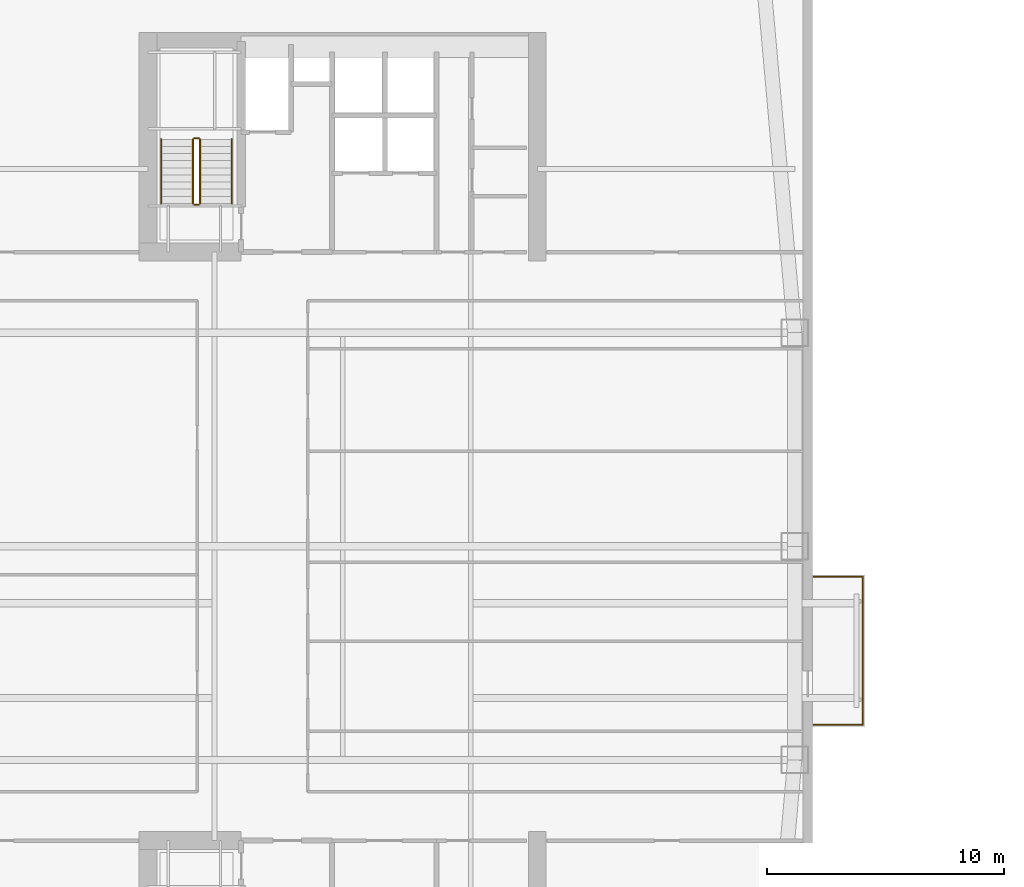
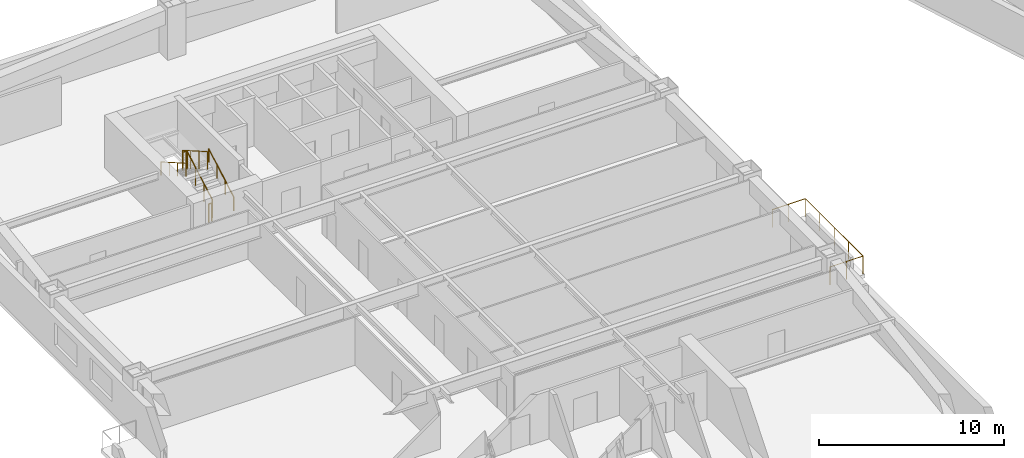
# One storey, part 13 of 15: 7 railings.
"""IFC4 building model written with IfcOpenShell, lengths in metres."""

from ifc_helpers import new_model, si_unit, direction, frame, origin, origin_2d, place, context, subcontext, project, spatial, circle, extrude, material, type_object, element, save


model = new_model("IFC4")

# Units and contexts
model_context = context("Model", 3, precision=1e-05, world=origin(), true_north=direction((0.0, 1.0)))
body_context = subcontext(model_context, "Body", "Model", "MODEL_VIEW")
ifc_project = project(units=[si_unit("LENGTHUNIT", "METRE"), si_unit("AREAUNIT", "SQUARE_METRE"), si_unit("VOLUMEUNIT", "CUBIC_METRE"), si_unit("PLANEANGLEUNIT", "RADIAN"), si_unit("MASSUNIT", "GRAM", prefix="KILO")], contexts=[model_context])

# Site, building, storey
site_placement = place(None, origin())
site = spatial("IfcSite", under=ifc_project, at=site_placement, CompositionType="ELEMENT")
building_placement = place(site_placement, origin())
building = spatial("IfcBuilding", under=site, at=building_placement, Name="Qiaolan Cultural Towers", CompositionType="ELEMENT")
storey_placement = place(building_placement, frame((0.0, 0.0, 81.64990234375)))
storey = spatial("IfcBuildingStorey", under=building, at=storey_placement, Name="L20", CompositionType="ELEMENT", Elevation=81.64990234375)

# Railings
ifc_material_1 = material(Name="Laminated SentryGlas & Stainless Steel S31608 Balustrade", Category="steel")
railing_type_1 = type_object("IfcRailingType", Name="GRD-TERR-1200", PredefinedType="BALUSTRADE", material=ifc_material_1)
railing_1_placement = place(storey_placement, frame((49.85009765625, 26.47998046875, 0.0)))
element("IfcRailing", 1, at=railing_1_placement, inside=storey, type_object=railing_type_1, Name="L20 T1 Tree Balcony Guardrail E", PredefinedType="BALUSTRADE", context=body_context, shape_type="SweptSolid", body=[
    extrude(circle(Radius=0.02392578125, at=origin_2d()), frame((0.0, 0.0, 1.17578125), z_axis=(1.0, 0.0, 0.0), x_axis=(0.0, 1.0, 0.0)), (0.0, 0.0, 1.0), 2.06982421875),
    extrude(circle(Radius=0.02392578125, at=origin_2d()), frame((2.06982421875, 0.0, 1.17578125), z_axis=(0.0, 1.0, 0.0), x_axis=(-1.0, 0.0, 0.0)), (0.0, 0.0, 1.0), 6.239990234375),
    extrude(circle(Radius=0.02392578125, at=origin_2d()), frame((2.06982421875, 6.239990234375, 1.17578125), z_axis=(-1.0, 0.0, 0.0), x_axis=(0.0, -1.0, 0.0)), (0.0, 0.0, 1.0), 2.06982421875),
    extrude(circle(Radius=0.02099609375, at=origin_2d()), origin(), (0.0, 0.0, 1.0), 1.15185546875),
    extrude(circle(Radius=0.02099609375, at=origin_2d()), frame((1.034912109375, 0.0, 0.0)), (0.0, 0.0, 1.0), 1.15185546875),
    extrude(circle(Radius=0.02099609375, at=origin_2d()), frame((2.06982421875, 0.0, 0.0)), (0.0, 0.0, 1.0), 1.15185546875),
    extrude(circle(Radius=0.02099609375, at=origin_2d()), frame((2.06982421875, 1.56005859375, 0.0)), (0.0, 0.0, 1.0), 1.15185546875),
    extrude(circle(Radius=0.02099609375, at=origin_2d()), frame((2.06982421875, 3.1201171875, 0.0)), (0.0, 0.0, 1.0), 1.15185546875),
    extrude(circle(Radius=0.02099609375, at=origin_2d()), frame((2.06982421875, 4.679931640625, 0.0)), (0.0, 0.0, 1.0), 1.15185546875),
    extrude(circle(Radius=0.02099609375, at=origin_2d()), frame((2.06982421875, 6.239990234375, 0.0)), (0.0, 0.0, 1.0), 1.15185546875),
    extrude(circle(Radius=0.02099609375, at=origin_2d()), frame((1.034912109375, 6.239990234375, 0.0)), (0.0, 0.0, 1.0), 1.15185546875),
    extrude(circle(Radius=0.02099609375, at=origin_2d()), frame((0.0, 6.239990234375, 0.0)), (0.0, 0.0, 1.0), 1.15185546875),
])
ifc_material_2 = material(Name="Galvanized Painted Steel Stair Guardrail", Category="steel")
railing_type_2 = type_object("IfcRailingType", Name="RL-STAIR-GRD", PredefinedType="GUARDRAIL", material=ifc_material_2)
railing_2_placement = place(storey_placement, frame((23.989990234375, 48.449951171875, 0.172607421875)))
element("IfcRailing", 2, at=railing_2_placement, inside=storey, type_object=railing_type_2, Name="L20 ST-W2 stair guard 1", PredefinedType="GUARDRAIL", context=body_context, shape_type="SweptSolid", body=[
    extrude(circle(Radius=0.02392578125, at=origin_2d()), frame((0.0, 0.0, 1.17578125), z_axis=(0.0, 0.866903762492, 0.498475542607), x_axis=(-1.0, 0.0, 0.0)), (0.0, 0.0, 1.0), 3.114501953125),
    extrude(circle(Radius=0.02099609375, at=origin_2d()), origin(), (0.0, 0.0, 1.0), 1.15185546875),
    extrude(circle(Radius=0.02099609375, at=origin_2d()), frame((0.0, 0.89990234375, 0.517578125)), (0.0, 0.0, 1.0), 1.15185546875),
    extrude(circle(Radius=0.02099609375, at=origin_2d()), frame((0.0, 1.800048828125, 1.034912109375)), (0.0, 0.0, 1.0), 1.15185546875),
    extrude(circle(Radius=0.02099609375, at=origin_2d()), frame((0.0, 2.699951171875, 1.552490234375)), (0.0, 0.0, 1.0), 1.15185546875),
])
railing_3_placement = place(storey_placement, frame((23.93994140625, 51.199951171875, 1.72509765625)))
element("IfcRailing", 3, at=railing_3_placement, inside=storey, type_object=railing_type_2, Name="L20 ST-W2 stair guard 2", PredefinedType="GUARDRAIL", context=body_context, shape_type="SweptSolid", body=[
    extrude(circle(Radius=0.02392578125, at=origin_2d()), frame((0.0, 0.0, 1.17578125), z_axis=(-1.0, 0.0, 0.0), x_axis=(0.0, -1.0, 0.0)), (0.0, 0.0, 1.0), 0.199951171875),
    extrude(circle(Radius=0.02099609375, at=origin_2d()), origin(), (0.0, 0.0, 1.0), 1.15185546875),
    extrude(circle(Radius=0.02099609375, at=origin_2d()), frame((-0.199951171875, 0.0, 0.0)), (0.0, 0.0, 1.0), 1.15185546875),
])
railing_4_placement = place(storey_placement, frame((23.68994140625, 51.14990234375, 1.897705078125)))
element("IfcRailing", 4, at=railing_4_placement, inside=storey, type_object=railing_type_2, Name="L20 ST-W2 stair guard 3", PredefinedType="GUARDRAIL", context=body_context, shape_type="SweptSolid", body=[
    extrude(circle(Radius=0.02392578125, at=origin_2d()), frame((0.0, 0.0, 1.17578125), z_axis=(0.0, -0.866903762492, 0.498475542607), x_axis=(1.0, 0.0, 0.0)), (0.0, 0.0, 1.0), 3.114501953125),
    extrude(circle(Radius=0.02099609375, at=origin_2d()), origin(), (0.0, 0.0, 1.0), 1.15185546875),
    extrude(circle(Radius=0.02099609375, at=origin_2d()), frame((0.0, -0.89990234375, 0.517578125)), (0.0, 0.0, 1.0), 1.15185546875),
    extrude(circle(Radius=0.02099609375, at=origin_2d()), frame((0.0, -1.800048828125, 1.034912109375)), (0.0, 0.0, 1.0), 1.15185546875),
    extrude(circle(Radius=0.02099609375, at=origin_2d()), frame((0.0, -2.699951171875, 1.552490234375)), (0.0, 0.0, 1.0), 1.15185546875),
])
railing_5_placement = place(storey_placement, frame((23.93994140625, 48.39990234375, 0.0)))
element("IfcRailing", 5, at=railing_5_placement, inside=storey, type_object=railing_type_2, Name="L20 ST-W2 stair guard 4", PredefinedType="GUARDRAIL", context=body_context, shape_type="SweptSolid", body=[
    extrude(circle(Radius=0.02392578125, at=origin_2d()), frame((0.0, 0.0, 1.17578125), z_axis=(-1.0, 0.0, 0.0), x_axis=(0.0, -1.0, 0.0)), (0.0, 0.0, 1.0), 0.199951171875),
    extrude(circle(Radius=0.02099609375, at=origin_2d()), origin(), (0.0, 0.0, 1.0), 1.15185546875),
    extrude(circle(Radius=0.02099609375, at=origin_2d()), frame((-0.199951171875, 0.0, 0.0)), (0.0, 0.0, 1.0), 1.15185546875),
])
ifc_material_3 = material(Name="Stainless Steel S30408 Tubular Handrail", Category="steel")
railing_type_3 = type_object("IfcRailingType", Name="RL-STAIR-HR", PredefinedType="HANDRAIL", material=ifc_material_3)
railing_6_placement = place(storey_placement, frame((25.330078125, 48.449951171875, 0.172607421875)))
element("IfcRailing", 6, at=railing_6_placement, inside=storey, type_object=railing_type_3, Name="L20 ST-W2 stair handrail 1", PredefinedType="HANDRAIL", context=body_context, shape_type="SweptSolid", body=[
    extrude(circle(Radius=0.02392578125, at=origin_2d()), frame((0.0, 0.0, 0.8759765625), z_axis=(0.0, 0.866903762492, 0.498475542607), x_axis=(-1.0, 0.0, 0.0)), (0.0, 0.0, 1.0), 3.114501953125),
    extrude(circle(Radius=0.02099609375, at=origin_2d()), origin(), (0.0, 0.0, 1.0), 0.851806640625),
    extrude(circle(Radius=0.02099609375, at=origin_2d()), frame((0.0, 0.89990234375, 0.517578125)), (0.0, 0.0, 1.0), 0.851806640625),
    extrude(circle(Radius=0.02099609375, at=origin_2d()), frame((0.0, 1.800048828125, 1.034912109375)), (0.0, 0.0, 1.0), 0.851806640625),
    extrude(circle(Radius=0.02099609375, at=origin_2d()), frame((0.0, 2.699951171875, 1.552490234375)), (0.0, 0.0, 1.0), 0.851806640625),
])
railing_7_placement = place(storey_placement, frame((22.35009765625, 51.14990234375, 1.897705078125)))
element("IfcRailing", 7, at=railing_7_placement, inside=storey, type_object=railing_type_3, Name="L20 ST-W2 stair handrail 2", PredefinedType="HANDRAIL", context=body_context, shape_type="SweptSolid", body=[
    extrude(circle(Radius=0.02392578125, at=origin_2d()), frame((0.0, 0.0, 0.8759765625), z_axis=(0.0, -0.866903762492, 0.498475542607), x_axis=(1.0, 0.0, 0.0)), (0.0, 0.0, 1.0), 3.114501953125),
    extrude(circle(Radius=0.02099609375, at=origin_2d()), origin(), (0.0, 0.0, 1.0), 0.851806640625),
    extrude(circle(Radius=0.02099609375, at=origin_2d()), frame((0.0, -0.89990234375, 0.517578125)), (0.0, 0.0, 1.0), 0.851806640625),
    extrude(circle(Radius=0.02099609375, at=origin_2d()), frame((0.0, -1.800048828125, 1.034912109375)), (0.0, 0.0, 1.0), 0.851806640625),
    extrude(circle(Radius=0.02099609375, at=origin_2d()), frame((0.0, -2.699951171875, 1.552490234375)), (0.0, 0.0, 1.0), 0.851806640625),
])

save(model, "model.ifc")
